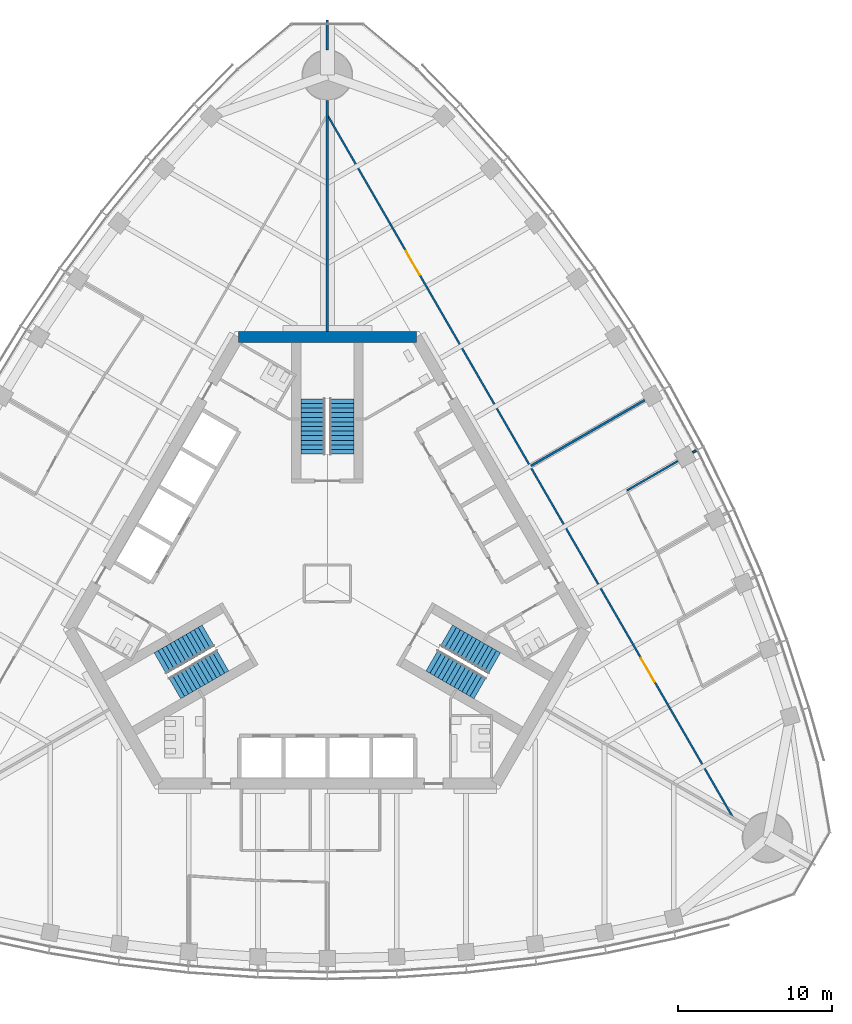
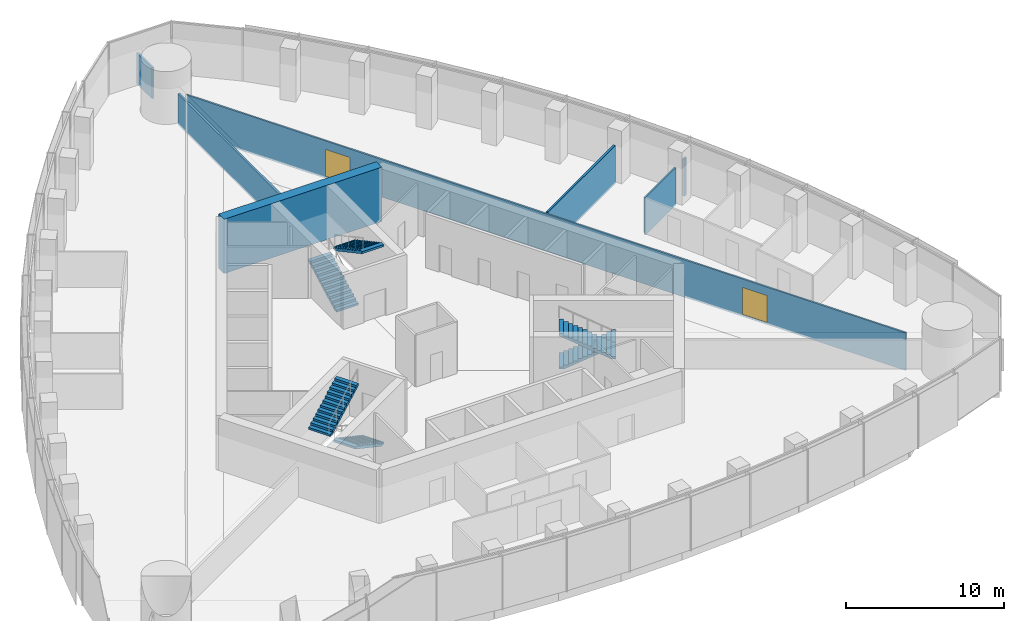
# One storey, part 14 of 19: 7 walls, 6 stair flights, 2 doors, 2 openings, 3 elements without a shape of their own.
"""IFC4 building model written with IfcOpenShell, lengths in metres."""

from ifc_helpers import new_model, si_unit, direction, frame, frame_2d, origin, place, context, subcontext, project, spatial, polyline, rectangle, outline, extrude, material, layer, layer_set, type_object, element, fill, aggregate, save


model = new_model("IFC4")

# Units and contexts
model_context = context("Model", 3, precision=1e-05, world=origin(), true_north=direction((0.0, 1.0)))
body_context = subcontext(model_context, "Body", "Model", "MODEL_VIEW")
ifc_project = project(units=[si_unit("LENGTHUNIT", "METRE"), si_unit("AREAUNIT", "SQUARE_METRE"), si_unit("VOLUMEUNIT", "CUBIC_METRE"), si_unit("PLANEANGLEUNIT", "RADIAN"), si_unit("MASSUNIT", "GRAM", prefix="KILO")], contexts=[model_context])

# Site, building, storey
site_placement = place(None, origin())
site = spatial("IfcSite", under=ifc_project, at=site_placement, CompositionType="ELEMENT")
building_placement = place(site_placement, origin())
building = spatial("IfcBuilding", under=site, at=building_placement, Name="Trefoil Bronze Tower", CompositionType="ELEMENT")
storey_placement = place(building_placement, frame((0.0, 0.0, 240.10009765625)))
storey = spatial("IfcBuildingStorey", under=building, at=storey_placement, Name="L55", CompositionType="ELEMENT", Elevation=240.10009765625)

# Wall
ifc_material_1 = material(Name="Concrete B80", Category="concrete")
ifc_layer_1 = layer(ifc_material_1, 0.699951171875)
ifc_layer_set_1 = layer_set([ifc_layer_1], Name="Core wall 700")
wall_type_1 = type_object("IfcWallType", Name="Core wall 700", PredefinedType="SHEAR", material=ifc_layer_set_1)
wall_1_placement = place(storey_placement, frame((5.7734375, 16.0, 0.0), z_axis=(0.0, 0.0, 1.0), x_axis=(-1.0, 0.0, 0.0)))
element("IfcWall", 1, at=wall_1_placement, inside=storey, type_object=wall_type_1, Name="Core short wall 2 L55", PredefinedType="SHEAR", context=body_context, shape_type="SweptSolid", body=[
    extrude(rectangle(XDim=11.546875, YDim=0.699951171875, at=frame_2d((5.7734375, 0.0))), origin(), (0.0, 0.0, 1.0), 4.199951171875),
])

# Wall, openings, doors
ifc_material_2 = material(Name="Glazed partition", Category="glass")
ifc_layer_2 = layer(ifc_material_2, 0.1201171875)
ifc_layer_set_2 = layer_set([ifc_layer_2], Name="Glazed partition 120")
wall_type_2 = type_object("IfcWallType", Name="Glazed partition 120", PredefinedType="PARTITIONING", material=ifc_layer_set_2)
wall_2_placement = place(storey_placement, frame((26.328125, -15.181640625, 0.0), z_axis=(0.0, 0.0, 1.0), x_axis=(-0.500000626146, 0.866025042278, 0.0)))
wall_2 = element("IfcWall", 2, at=wall_2_placement, inside=storey, type_object=wall_type_2, Name="Partition F2 L55", PredefinedType="PARTITIONING", context=body_context, shape_type="SweptSolid", body=[
    extrude(rectangle(XDim=52.62353515625, YDim=0.1201171875, at=frame_2d((26.311767578125, 0.0))), origin(), (0.0, 0.0, 1.0), 2.89990234375),
])
opening_1_placement = place(wall_2_placement, frame((10.14990234375, 0.0, 0.14990234375)))
opening_1 = element("IfcOpeningElement", 3, at=opening_1_placement, cuts=wall_2, Name="Opening D10", PredefinedType="OPENING", context=body_context, shape_type="SweptSolid", body=[
    extrude(rectangle(XDim=1.800048828125, YDim=2.10009765625, at=frame_2d((0.89990234375, 1.050048828125))), frame((0.0, 0.070068359375, 0.0), z_axis=(0.0, -1.0, 0.0), x_axis=(1.0, 0.0, 0.0)), (0.0, 0.0, 1.0), 0.14013671875),
])
opening_2_placement = place(wall_2_placement, frame((40.64990234375, 0.0, 0.14990234375)))
opening_2 = element("IfcOpeningElement", 4, at=opening_2_placement, cuts=wall_2, Name="Opening D10", PredefinedType="OPENING", context=body_context, shape_type="SweptSolid", body=[
    extrude(rectangle(XDim=1.800048828125, YDim=2.10009765625, at=frame_2d((0.89990234375, 1.050048828125))), frame((0.0, 0.070068359375, 0.0), z_axis=(0.0, -1.0, 0.0), x_axis=(1.0, 0.0, 0.0)), (0.0, 0.0, 1.0), 0.14013671875),
])
ifc_material_3 = material(Name="Timber door", Category="wood")
door_type = type_object("IfcDoorType", Name="Double door 1800", OperationType="DOUBLE_DOOR_SINGLE_SWING", PredefinedType="DOOR", material=ifc_material_3)
door_1_placement = place(opening_1_placement, origin())
door_1 = element("IfcDoor", 5, at=door_1_placement, inside=storey, type_object=door_type, Name="Corridor door F2 L55", OperationType="DOUBLE_DOOR_SINGLE_SWING", OverallHeight=2.10009765625, OverallWidth=1.800048828125, PredefinedType="DOOR", context=body_context, shape_type="SweptSolid", body=[
    extrude(rectangle(XDim=1.800048828125, YDim=2.10009765625, at=frame_2d((0.89990234375, 1.050048828125))), frame((0.0, 0.02490234375, 0.0), z_axis=(0.0, -1.0, 0.0), x_axis=(1.0, 0.0, 0.0)), (0.0, 0.0, 1.0), 0.050048828125),
])
fill(opening_1, door_1)
door_2_placement = place(opening_2_placement, origin())
door_2 = element("IfcDoor", 6, at=door_2_placement, inside=storey, type_object=door_type, Name="Corridor door F2 L55", OperationType="DOUBLE_DOOR_SINGLE_SWING", OverallHeight=2.10009765625, OverallWidth=1.800048828125, PredefinedType="DOOR", context=body_context, shape_type="SweptSolid", body=[
    extrude(rectangle(XDim=1.800048828125, YDim=2.10009765625, at=frame_2d((0.89990234375, 1.050048828125))), frame((0.0, 0.02490234375, 0.0), z_axis=(0.0, -1.0, 0.0), x_axis=(1.0, 0.0, 0.0)), (0.0, 0.0, 1.0), 0.050048828125),
])
fill(opening_2, door_2)

# Walls
wall_3_placement = place(storey_placement, frame((19.4599609375, 6.0390625, 0.0), z_axis=(0.0, 0.0, 1.0), x_axis=(0.866031201001, 0.499989958791, 0.0)))
element("IfcWall", 7, at=wall_3_placement, inside=storey, type_object=wall_type_2, Name="Partition F2 L55", PredefinedType="PARTITIONING", context=body_context, shape_type="SweptSolid", body=[
    extrude(rectangle(XDim=3.818359375, YDim=0.1201171875, at=frame_2d((1.9091796875, 0.0))), origin(), (0.0, 0.0, 1.0), 2.89990234375),
])
ifc_material_4 = material(Name="Gypsum board on steel studs", Category="steel")
ifc_layer_3 = layer(ifc_material_4, 0.14990234375)
ifc_layer_set_3 = layer_set([ifc_layer_3], Name="Partition 150")
wall_type_3 = type_object("IfcWallType", Name="Partition 150", PredefinedType="PARTITIONING", material=ifc_layer_set_3)
wall_4_placement = place(storey_placement, frame((23.7265625, 8.50244140625, 0.0), z_axis=(0.0, 0.0, 1.0), x_axis=(0.866135455726, 0.499809335981, 0.0)))
element("IfcWall", 8, at=wall_4_placement, inside=storey, type_object=wall_type_3, Name="Partition F2 L55", PredefinedType="PARTITIONING", context=body_context, shape_type="SweptSolid", body=[
    extrude(rectangle(XDim=0.2431640625, YDim=0.14990234375, at=frame_2d((0.12158203125, 0.0))), origin(), (0.0, 0.0, 1.0), 2.89990234375),
])
ifc_material_5 = material(Name="Gypsum board on steel studs", Category="steel")
ifc_layer_4 = layer(ifc_material_5, 0.14990234375)
ifc_layer_set_4 = layer_set([ifc_layer_4], Name="Party wall 150")
wall_type_4 = type_object("IfcWallType", Name="Party wall 150", PredefinedType="PARTITIONING", material=ifc_layer_set_4)
wall_5_placement = place(storey_placement, frame((0.0, 16.35009765625, 0.0), z_axis=(0.0, 0.0, 1.0), x_axis=(0.0, 1.0, 0.0)))
element("IfcWall", 9, at=wall_5_placement, inside=storey, type_object=wall_type_4, Name="Party wall K2 L55", PredefinedType="PARTITIONING", context=body_context, shape_type="SweptSolid", body=[
    extrude(rectangle(XDim=15.0, YDim=0.14990234375, at=frame_2d((7.5, 0.0))), origin(), (0.0, 0.0, 1.0), 2.39990234375),
])
wall_6_placement = place(storey_placement, frame((0.0, 34.64990234375, 0.0), z_axis=(0.0, 0.0, 1.0), x_axis=(0.0, 1.0, 0.0)))
element("IfcWall", 10, at=wall_6_placement, inside=storey, type_object=wall_type_4, Name="Party wall K2 L55", PredefinedType="PARTITIONING", context=body_context, shape_type="SweptSolid", body=[
    extrude(rectangle(XDim=1.934814453125, YDim=0.14990234375, at=frame_2d((0.96728515625, 0.0))), origin(), (0.0, 0.0, 1.0), 2.39990234375),
])
wall_7_placement = place(storey_placement, frame((13.22412109375, 7.635009765625, 0.0), z_axis=(0.0, 0.0, 1.0), x_axis=(0.866035375346, 0.499982728352, 0.0)))
element("IfcWall", 11, at=wall_7_placement, inside=storey, type_object=wall_type_4, Name="Demising wall F2 L55", PredefinedType="PARTITIONING", context=body_context, shape_type="SweptSolid", body=[
    extrude(rectangle(XDim=8.525634765625, YDim=0.14990234375, at=frame_2d((4.2626953125, 0.0))), origin(), (0.0, 0.0, 1.0), 2.991943359375),
])

# Stair, stair flights
ifc_material_6 = material(Name="Precast concrete B80", Category="concrete")
stair_type = type_object("IfcStairType", Name="Exit stair 26 risers", PredefinedType="HALF_TURN_STAIR", material=ifc_material_6)
stair_1_placement = place(storey_placement, origin())
stair_1 = element("IfcStair", 12, at=stair_1_placement, inside=storey, type_object=stair_type, Name="Stair ST1 L55", PredefinedType="HALF_TURN_STAIR")
ifc_material_7 = material(Name="Precast concrete B80", Category="concrete")
stair_flight_type = type_object("IfcStairFlightType", Name="Stair flight 1600", PredefinedType="STRAIGHT", material=ifc_material_7)
stair_flight_1_placement = place(storey_placement, frame((7.728515625, -3.39404296875, 0.0), z_axis=(0.0, 0.0, 1.0), x_axis=(0.866025403784, -0.5, 0.0)))
stair_flight_1 = element("IfcStairFlight", 13, at=stair_flight_1_placement, type_object=stair_flight_type, Name="ST1 flight 1", NumberOfRisers=13, NumberOfTreads=12, PredefinedType="STRAIGHT", RiserHeight=0.161538462, TreadLength=0.3, context=body_context, shape_type="SweptSolid", body=[
    extrude(outline(polyline([(0.0, 0.0), (0.0, 0.16162109375), (0.300048828125, 0.16162109375), (0.300048828125, 0.322998046875), (0.60009765625, 0.322998046875), (0.60009765625, 0.484619140625), (0.89990234375, 0.484619140625), (0.89990234375, 0.646240234375), (1.199951171875, 0.646240234375), (1.199951171875, 0.8076171875), (1.5, 0.8076171875), (1.5, 0.96923828125), (1.800048828125, 0.96923828125), (1.800048828125, 1.130859375), (2.10009765625, 1.130859375), (2.10009765625, 1.292236328125), (2.39990234375, 1.292236328125), (2.39990234375, 1.453857421875), (2.699951171875, 1.453857421875), (2.699951171875, 1.615478515625), (3.0, 1.615478515625), (3.0, 1.77685546875), (3.300048828125, 1.77685546875), (3.300048828125, 1.9384765625), (3.60009765625, 1.9384765625), (3.60009765625, 2.10009765625), (3.60009765625, 1.768310546875), (0.316162109375, 0.0), (0.0, 0.0)])), frame((0.0, 0.800048828125, 0.0), z_axis=(0.0, -1.0, 0.0), x_axis=(1.0, 0.0, 0.0)), (0.0, 0.0, 1.0), 1.60009765625),
])
stair_flight_2_placement = place(storey_placement, frame((9.921142578125, -6.796142578125, 2.099853515625), z_axis=(0.0, 0.0, 1.0), x_axis=(-0.866025403784, 0.5, 0.0)))
stair_flight_2 = element("IfcStairFlight", 14, at=stair_flight_2_placement, type_object=stair_flight_type, Name="ST1 flight 2", NumberOfRisers=13, NumberOfTreads=12, PredefinedType="STRAIGHT", RiserHeight=0.161538462, TreadLength=0.3, context=body_context, shape_type="SweptSolid", body=[
    extrude(outline(polyline([(0.0, 0.0), (0.0, 0.16162109375), (0.300048828125, 0.16162109375), (0.300048828125, 0.322998046875), (0.60009765625, 0.322998046875), (0.60009765625, 0.484619140625), (0.89990234375, 0.484619140625), (0.89990234375, 0.646240234375), (1.199951171875, 0.646240234375), (1.199951171875, 0.8076171875), (1.5, 0.8076171875), (1.5, 0.96923828125), (1.800048828125, 0.96923828125), (1.800048828125, 1.130859375), (2.10009765625, 1.130859375), (2.10009765625, 1.292236328125), (2.39990234375, 1.292236328125), (2.39990234375, 1.453857421875), (2.699951171875, 1.453857421875), (2.699951171875, 1.615478515625), (3.0, 1.615478515625), (3.0, 1.77685546875), (3.300048828125, 1.77685546875), (3.300048828125, 1.9384765625), (3.60009765625, 1.9384765625), (3.60009765625, 2.10009765625), (3.60009765625, 1.768310546875), (0.316162109375, 0.0), (0.0, 0.0)])), frame((0.0, 0.800048828125, 0.0), z_axis=(0.0, -1.0, 0.0), x_axis=(1.0, 0.0, 0.0)), (0.0, 0.0, 1.0), 1.60009765625),
])
aggregate(stair_1, [stair_flight_1, stair_flight_2])

stair_2_placement = place(storey_placement, origin())
stair_2 = element("IfcStair", 15, at=stair_2_placement, inside=storey, type_object=stair_type, Name="Stair ST2 L55", PredefinedType="HALF_TURN_STAIR")
stair_flight_3_placement = place(storey_placement, frame((-0.925048828125, 8.389892578125, 0.0), z_axis=(0.0, 0.0, 1.0), x_axis=(0.0, 1.0, 0.0)))
stair_flight_3 = element("IfcStairFlight", 16, at=stair_flight_3_placement, type_object=stair_flight_type, Name="ST2 flight 1", NumberOfRisers=13, NumberOfTreads=12, PredefinedType="STRAIGHT", RiserHeight=0.161538462, TreadLength=0.3, context=body_context, shape_type="SweptSolid", body=[
    extrude(outline(polyline([(0.0, 0.0), (0.0, 0.16162109375), (0.300048828125, 0.16162109375), (0.300048828125, 0.322998046875), (0.60009765625, 0.322998046875), (0.60009765625, 0.484619140625), (0.89990234375, 0.484619140625), (0.89990234375, 0.646240234375), (1.199951171875, 0.646240234375), (1.199951171875, 0.8076171875), (1.5, 0.8076171875), (1.5, 0.96923828125), (1.800048828125, 0.96923828125), (1.800048828125, 1.130859375), (2.10009765625, 1.130859375), (2.10009765625, 1.292236328125), (2.39990234375, 1.292236328125), (2.39990234375, 1.453857421875), (2.699951171875, 1.453857421875), (2.699951171875, 1.615478515625), (3.0, 1.615478515625), (3.0, 1.77685546875), (3.300048828125, 1.77685546875), (3.300048828125, 1.9384765625), (3.60009765625, 1.9384765625), (3.60009765625, 2.10009765625), (3.60009765625, 1.768310546875), (0.316162109375, 0.0), (0.0, 0.0)])), frame((0.0, 0.800048828125, 0.0), z_axis=(0.0, -1.0, 0.0), x_axis=(1.0, 0.0, 0.0)), (0.0, 0.0, 1.0), 1.60009765625),
])
stair_flight_4_placement = place(storey_placement, frame((0.925048828125, 11.989990234375, 2.099853515625), z_axis=(0.0, 0.0, 1.0), x_axis=(0.0, -1.0, 0.0)))
stair_flight_4 = element("IfcStairFlight", 17, at=stair_flight_4_placement, type_object=stair_flight_type, Name="ST2 flight 2", NumberOfRisers=13, NumberOfTreads=12, PredefinedType="STRAIGHT", RiserHeight=0.161538462, TreadLength=0.3, context=body_context, shape_type="SweptSolid", body=[
    extrude(outline(polyline([(0.0, 0.0), (0.0, 0.16162109375), (0.300048828125, 0.16162109375), (0.300048828125, 0.322998046875), (0.60009765625, 0.322998046875), (0.60009765625, 0.484619140625), (0.89990234375, 0.484619140625), (0.89990234375, 0.646240234375), (1.199951171875, 0.646240234375), (1.199951171875, 0.8076171875), (1.5, 0.8076171875), (1.5, 0.96923828125), (1.800048828125, 0.96923828125), (1.800048828125, 1.130859375), (2.10009765625, 1.130859375), (2.10009765625, 1.292236328125), (2.39990234375, 1.292236328125), (2.39990234375, 1.453857421875), (2.699951171875, 1.453857421875), (2.699951171875, 1.615478515625), (3.0, 1.615478515625), (3.0, 1.77685546875), (3.300048828125, 1.77685546875), (3.300048828125, 1.9384765625), (3.60009765625, 1.9384765625), (3.60009765625, 2.10009765625), (3.60009765625, 1.768310546875), (0.316162109375, 0.0), (0.0, 0.0)])), frame((0.0, 0.800048828125, 0.0), z_axis=(0.0, -1.0, 0.0), x_axis=(1.0, 0.0, 0.0)), (0.0, 0.0, 1.0), 1.60009765625),
])
aggregate(stair_2, [stair_flight_3, stair_flight_4])

stair_3_placement = place(storey_placement, origin())
stair_3 = element("IfcStair", 18, at=stair_3_placement, inside=storey, type_object=stair_type, Name="Stair ST3 L55", PredefinedType="HALF_TURN_STAIR")
stair_flight_5_placement = place(storey_placement, frame((-6.803466796875, -4.99609375, 0.0), z_axis=(0.0, 0.0, 1.0), x_axis=(-0.866025403784, -0.5, 0.0)))
stair_flight_5 = element("IfcStairFlight", 19, at=stair_flight_5_placement, type_object=stair_flight_type, Name="ST3 flight 1", NumberOfRisers=13, NumberOfTreads=12, PredefinedType="STRAIGHT", RiserHeight=0.161538462, TreadLength=0.3, context=body_context, shape_type="SweptSolid", body=[
    extrude(outline(polyline([(0.0, 0.0), (0.0, 0.16162109375), (0.300048828125, 0.16162109375), (0.300048828125, 0.322998046875), (0.60009765625, 0.322998046875), (0.60009765625, 0.484619140625), (0.89990234375, 0.484619140625), (0.89990234375, 0.646240234375), (1.199951171875, 0.646240234375), (1.199951171875, 0.8076171875), (1.5, 0.8076171875), (1.5, 0.96923828125), (1.800048828125, 0.96923828125), (1.800048828125, 1.130859375), (2.10009765625, 1.130859375), (2.10009765625, 1.292236328125), (2.39990234375, 1.292236328125), (2.39990234375, 1.453857421875), (2.699951171875, 1.453857421875), (2.699951171875, 1.615478515625), (3.0, 1.615478515625), (3.0, 1.77685546875), (3.300048828125, 1.77685546875), (3.300048828125, 1.9384765625), (3.60009765625, 1.9384765625), (3.60009765625, 2.10009765625), (3.60009765625, 1.768310546875), (0.316162109375, 0.0), (0.0, 0.0)])), frame((0.0, 0.800048828125, 0.0), z_axis=(0.0, -1.0, 0.0), x_axis=(1.0, 0.0, 0.0)), (0.0, 0.0, 1.0), 1.60009765625),
])
stair_flight_6_placement = place(storey_placement, frame((-10.84619140625, -5.19384765625, 2.099853515625), z_axis=(0.0, 0.0, 1.0), x_axis=(0.866025403784, 0.5, 0.0)))
stair_flight_6 = element("IfcStairFlight", 20, at=stair_flight_6_placement, type_object=stair_flight_type, Name="ST3 flight 2", NumberOfRisers=13, NumberOfTreads=12, PredefinedType="STRAIGHT", RiserHeight=0.161538462, TreadLength=0.3, context=body_context, shape_type="SweptSolid", body=[
    extrude(outline(polyline([(0.0, 0.0), (0.0, 0.16162109375), (0.300048828125, 0.16162109375), (0.300048828125, 0.322998046875), (0.60009765625, 0.322998046875), (0.60009765625, 0.484619140625), (0.89990234375, 0.484619140625), (0.89990234375, 0.646240234375), (1.199951171875, 0.646240234375), (1.199951171875, 0.8076171875), (1.5, 0.8076171875), (1.5, 0.96923828125), (1.800048828125, 0.96923828125), (1.800048828125, 1.130859375), (2.10009765625, 1.130859375), (2.10009765625, 1.292236328125), (2.39990234375, 1.292236328125), (2.39990234375, 1.453857421875), (2.699951171875, 1.453857421875), (2.699951171875, 1.615478515625), (3.0, 1.615478515625), (3.0, 1.77685546875), (3.300048828125, 1.77685546875), (3.300048828125, 1.9384765625), (3.60009765625, 1.9384765625), (3.60009765625, 2.10009765625), (3.60009765625, 1.768310546875), (0.316162109375, 0.0), (0.0, 0.0)])), frame((0.0, 0.800048828125, 0.0), z_axis=(0.0, -1.0, 0.0), x_axis=(1.0, 0.0, 0.0)), (0.0, 0.0, 1.0), 1.60009765625),
])
aggregate(stair_3, [stair_flight_5, stair_flight_6])

save(model, "model.ifc")
